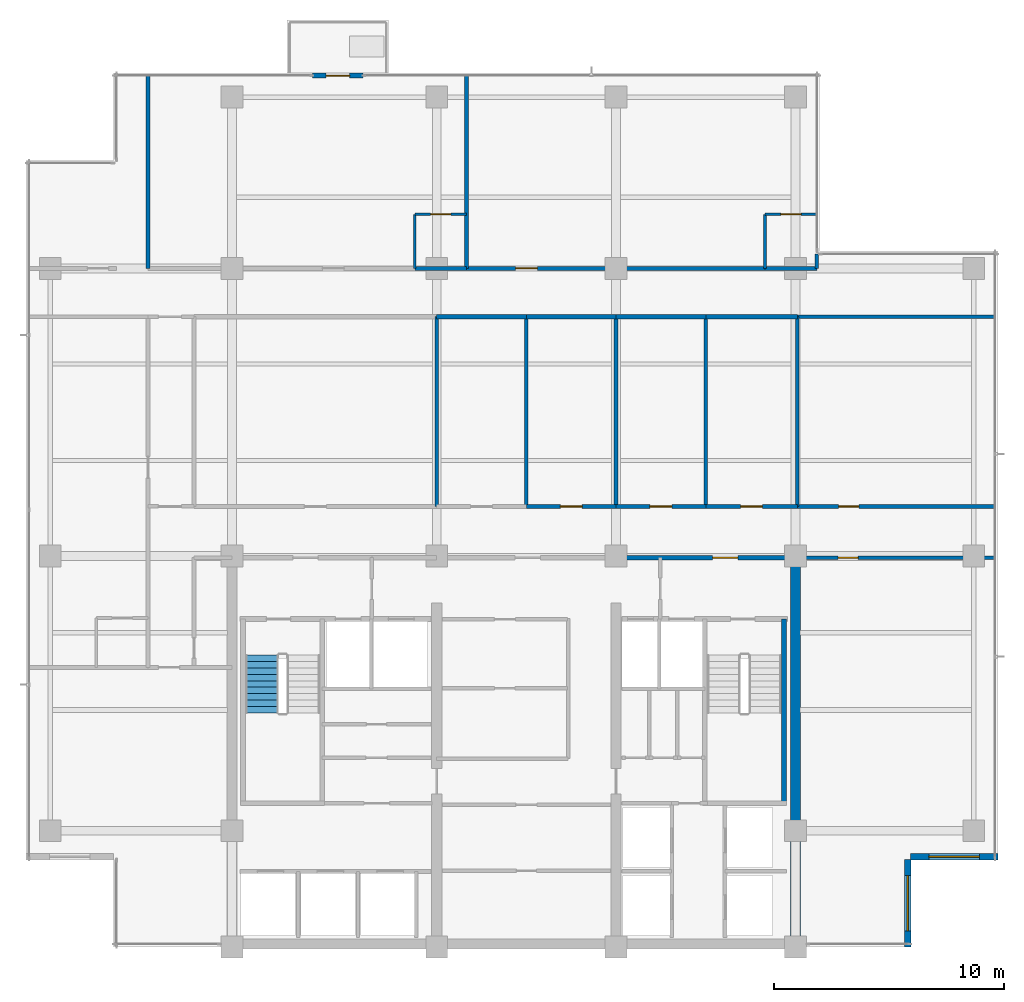
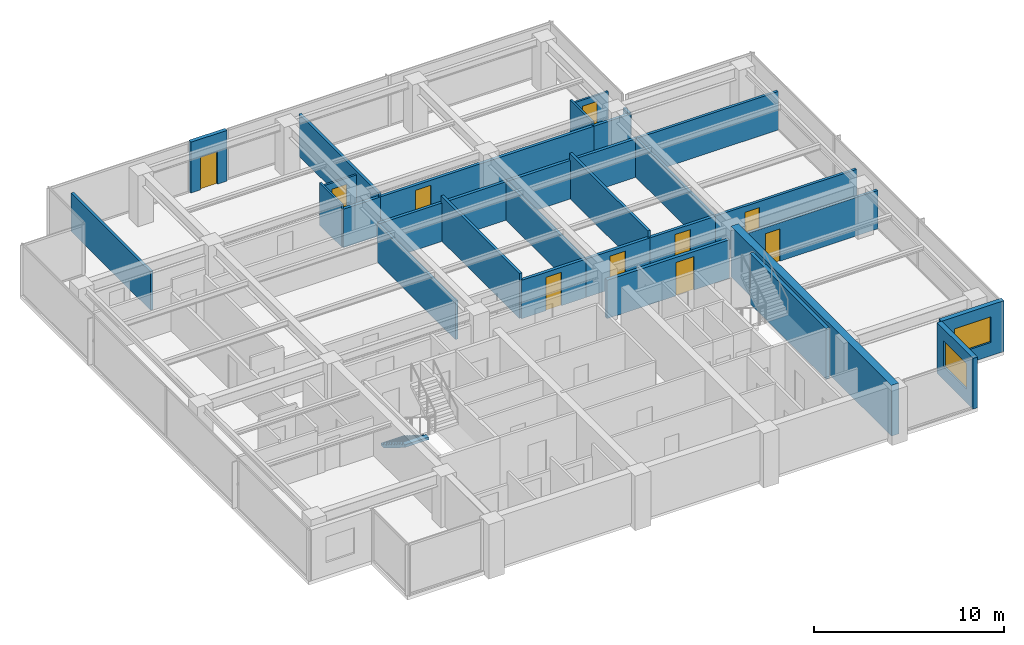
# One storey, part 9 of 14: 31 walls, 10 doors, 2 windows, 1 stair flight, 12 openings, 1 element without a shape of its own.
"""IFC4 building model written with IfcOpenShell, lengths in metres."""

from ifc_helpers import new_model, si_unit, direction, frame, frame_2d, origin, place, context, subcontext, project, spatial, polyline, rectangle, outline, extrude, material, layer, layer_set, type_object, element, fill, aggregate, save


model = new_model("IFC4")

# Units and contexts
model_context = context("Model", 3, precision=1e-05, world=origin(), true_north=direction((0.0, 1.0)))
body_context = subcontext(model_context, "Body", "Model", "MODEL_VIEW")
ifc_project = project(units=[si_unit("LENGTHUNIT", "METRE"), si_unit("AREAUNIT", "SQUARE_METRE"), si_unit("VOLUMEUNIT", "CUBIC_METRE"), si_unit("PLANEANGLEUNIT", "RADIAN"), si_unit("MASSUNIT", "GRAM", prefix="KILO")], contexts=[model_context])

# Site, building, storey
site_placement = place(None, origin())
site = spatial("IfcSite", under=ifc_project, at=site_placement, CompositionType="ELEMENT")
building_placement = place(site_placement, origin())
building = spatial("IfcBuilding", under=site, at=building_placement, Name="Qalmaran Belvedere Hotel", CompositionType="ELEMENT")
storey_placement = place(building_placement, frame((0.0, 0.0, 217.89990234375)))
storey = spatial("IfcBuildingStorey", under=building, at=storey_placement, Name="L55", CompositionType="ELEMENT", Elevation=217.89990234375)

# Wall, opening, door
ifc_material_1 = material(Name="Anodised Bronze Cladding")
ifc_layer_1 = layer(ifc_material_1, 0.22509765625, Name="Anodised Bronze Cladding")
ifc_layer_set_1 = layer_set([ifc_layer_1], Name="Anodised Bronze Cladding")
wall_type_1 = type_object("IfcWallType", Name="WL-BAL-PORT-225", PredefinedType="SOLIDWALL", material=ifc_layer_set_1)
wall_1_placement = place(storey_placement, frame((23.800048828125, 41.3798828125, 0.0), z_axis=(0.0, 0.0, 1.0), x_axis=(1.0, 0.0, 0.0)))
wall_1 = element("IfcWall", 1, at=wall_1_placement, inside=storey, type_object=wall_type_1, Name="L55 Tree Balcony Door Portal", PredefinedType="SOLIDWALL", context=body_context, shape_type="SweptSolid", body=[
    extrude(rectangle(XDim=2.199951171875, YDim=0.22509765625, at=frame_2d((1.10009765625, 0.0))), origin(), (0.0, 0.0, 1.0), 3.260009765625),
])
opening_1_placement = place(wall_1_placement, frame((0.590087890625, 0.0, 0.0)))
opening_1 = element("IfcOpeningElement", 2, at=opening_1_placement, cuts=wall_1, Name="Opening BL-102", PredefinedType="OPENING", context=body_context, shape_type="SweptSolid", body=[
    extrude(rectangle(XDim=1.02001953125, YDim=2.10009765625, at=frame_2d((0.510009765625, 1.050048828125))), frame((0.0, 0.12255859375, 0.0), z_axis=(0.0, -1.0, 0.0), x_axis=(1.0, 0.0, 0.0)), (0.0, 0.0, 1.0), 0.2451171875),
])
ifc_material_2 = material(Name="Anodised Bronze Aluminium", Category="aluminium")
door_type_1 = type_object("IfcDoorType", Name="DR-BAL-1020X2100", OperationType="NOTDEFINED", PredefinedType="DOOR", material=ifc_material_2)
door_1_placement = place(opening_1_placement, origin())
door_1 = element("IfcDoor", 3, at=door_1_placement, inside=storey, type_object=door_type_1, Name="L55 Planted Tree Balcony Door", OperationType="SINGLE_SWING_RIGHT", OverallHeight=2.10009765625, OverallWidth=1.02001953125, PredefinedType="DOOR", context=body_context, shape_type="SweptSolid", body=[
    extrude(rectangle(XDim=1.02001953125, YDim=2.10009765625, at=frame_2d((0.510009765625, 1.050048828125))), frame((0.0, 0.02490234375, 0.0), z_axis=(0.0, -1.0, 0.0), x_axis=(1.0, 0.0, 0.0)), (0.0, 0.0, 1.0), 0.050048828125),
])
fill(opening_1, door_1)

# Wall
ifc_material_3 = material(Name="Concrete C50/60", Category="concrete")
ifc_layer_2 = layer(ifc_material_3, 0.449951171875, Name="Concrete C50/60")
ifc_layer_set_2 = layer_set([ifc_layer_2], Name="Concrete C50/60")
wall_type_2 = type_object("IfcWallType", Name="WL-CORE-450-C50", PredefinedType="SHEAR", material=ifc_layer_set_2)
wall_2_placement = place(storey_placement, frame((44.800048828125, 3.5, 0.0), z_axis=(0.0, 0.0, 1.0), x_axis=(0.0, 1.0, 0.0)))
element("IfcWall", 4, at=wall_2_placement, inside=storey, type_object=wall_type_2, Name="L55 East Core Shear Wall", PredefinedType="SHEAR", context=body_context, shape_type="SweptSolid", body=[
    extrude(rectangle(XDim=16.89990234375, YDim=0.449951171875, at=frame_2d((8.449951171875, 0.0))), origin(), (0.0, 0.0, 1.0), 3.260009765625),
])

# Wall, opening, window
ifc_layer_3 = layer(ifc_material_1, 0.280029296875, Name="Anodised Bronze Cladding")
ifc_layer_set_3 = layer_set([ifc_layer_3], Name="Anodised Bronze Cladding")
wall_type_3 = type_object("IfcWallType", Name="WL-EXT-BRNZ-280", PredefinedType="SOLIDWALL", material=ifc_layer_set_3)
wall_3_placement = place(storey_placement, frame((49.679931640625, 3.5, 0.0), z_axis=(0.0, 0.0, 1.0), x_axis=(0.0, 1.0, 0.0)))
wall_3 = element("IfcWall", 5, at=wall_3_placement, inside=storey, type_object=wall_type_3, Name="L55 Corner Notch Wall 1", PredefinedType="SOLIDWALL", context=body_context, shape_type="SweptSolid", body=[
    extrude(rectangle(XDim=3.800048828125, YDim=0.280029296875, at=frame_2d((1.89990234375, 0.0))), origin(), (0.0, 0.0, 1.0), 3.260009765625),
])
opening_2_placement = place(wall_3_placement, frame((0.699951171875, 0.0, 0.85009765625)))
opening_2 = element("IfcOpeningElement", 6, at=opening_2_placement, cuts=wall_3, Name="Opening W-N24", PredefinedType="OPENING", context=body_context, shape_type="SweptSolid", body=[
    extrude(rectangle(XDim=2.39990234375, YDim=1.64990234375, at=frame_2d((1.199951171875, 0.824951171875))), frame((0.0, 0.14990234375, 0.0), z_axis=(0.0, -1.0, 0.0), x_axis=(1.0, 0.0, 0.0)), (0.0, 0.0, 1.0), 0.300048828125),
])
ifc_material_4 = material(Name="Solar-Control Double Glazing", Category="glass")
window_type_1 = type_object("IfcWindowType", Name="WN-NTC-2400X1650", PartitioningType="SINGLE_PANEL", PredefinedType="WINDOW", material=ifc_material_4)
window_1_placement = place(opening_2_placement, origin())
window_1 = element("IfcWindow", 7, at=window_1_placement, inside=storey, type_object=window_type_1, Name="L55 Corner Notch Window 1", OverallHeight=1.64990234375, OverallWidth=2.39990234375, PartitioningType="SINGLE_PANEL", PredefinedType="WINDOW", context=body_context, shape_type="SweptSolid", body=[
    extrude(rectangle(XDim=2.39990234375, YDim=1.64990234375, at=frame_2d((1.199951171875, 0.824951171875))), frame((0.0, 0.030029296875, 0.0), z_axis=(0.0, -1.0, 0.0), x_axis=(1.0, 0.0, 0.0)), (0.0, 0.0, 1.0), 0.06005859375),
])
fill(opening_2, window_1)

wall_4_placement = place(storey_placement, frame((49.800048828125, 7.419921875, 0.0), z_axis=(0.0, 0.0, 1.0), x_axis=(1.0, 0.0, 0.0)))
wall_4 = element("IfcWall", 8, at=wall_4_placement, inside=storey, type_object=wall_type_3, Name="L55 Corner Notch Wall 2", PredefinedType="SOLIDWALL", context=body_context, shape_type="SweptSolid", body=[
    extrude(rectangle(XDim=3.800048828125, YDim=0.280029296875, at=frame_2d((1.89990234375, 0.0))), origin(), (0.0, 0.0, 1.0), 3.260009765625),
])
opening_3_placement = place(wall_4_placement, frame((0.800048828125, 0.0, 0.85009765625)))
opening_3 = element("IfcOpeningElement", 9, at=opening_3_placement, cuts=wall_4, Name="Opening W-N22", PredefinedType="OPENING", context=body_context, shape_type="SweptSolid", body=[
    extrude(rectangle(XDim=2.199951171875, YDim=1.64990234375, at=frame_2d((1.10009765625, 0.824951171875))), frame((0.0, 0.14990234375, 0.0), z_axis=(0.0, -1.0, 0.0), x_axis=(1.0, 0.0, 0.0)), (0.0, 0.0, 1.0), 0.300048828125),
])
window_type_2 = type_object("IfcWindowType", Name="WN-NTC-2200X1650", PartitioningType="SINGLE_PANEL", PredefinedType="WINDOW", material=ifc_material_4)
window_2_placement = place(opening_3_placement, origin())
window_2 = element("IfcWindow", 10, at=window_2_placement, inside=storey, type_object=window_type_2, Name="L55 Corner Notch Window 2", OverallHeight=1.64990234375, OverallWidth=2.199951171875, PartitioningType="SINGLE_PANEL", PredefinedType="WINDOW", context=body_context, shape_type="SweptSolid", body=[
    extrude(rectangle(XDim=2.199951171875, YDim=1.64990234375, at=frame_2d((1.10009765625, 0.824951171875))), frame((0.0, 0.030029296875, 0.0), z_axis=(0.0, -1.0, 0.0), x_axis=(1.0, 0.0, 0.0)), (0.0, 0.0, 1.0), 0.06005859375),
])
fill(opening_3, window_2)

# Wall, opening, door
ifc_material_5 = material(Name="Moisture-Resistant Gypsum")
ifc_layer_4 = layer(ifc_material_5, 0.1201171875, Name="Moisture-Resistant Gypsum")
ifc_layer_set_4 = layer_set([ifc_layer_4], Name="Moisture-Resistant Gypsum")
wall_type_4 = type_object("IfcWallType", Name="WL-INT-120-BATH", PredefinedType="PARTITIONING", material=ifc_layer_set_4)
wall_5_placement = place(storey_placement, frame((28.25, 35.35009765625, 0.0), z_axis=(0.0, 0.0, 1.0), x_axis=(1.0, 0.0, 0.0)))
wall_5 = element("IfcWall", 11, at=wall_5_placement, inside=storey, type_object=wall_type_4, Name="L55 Partition WL-L55-NBN00", PredefinedType="PARTITIONING", context=body_context, shape_type="SweptSolid", body=[
    extrude(rectangle(XDim=2.25, YDim=0.1201171875, at=frame_2d((1.125, 0.0))), origin(), (0.0, 0.0, 1.0), 2.47216796875),
])
opening_4_placement = place(wall_5_placement, frame((1.56494140625, 0.0, 0.0), z_axis=(0.0, 0.0, 1.0), x_axis=(-1.0, 0.0, 0.0)))
opening_4 = element("IfcOpeningElement", 12, at=opening_4_placement, cuts=wall_5, Name="Opening D-BATH", PredefinedType="OPENING", context=body_context, shape_type="SweptSolid", body=[
    extrude(rectangle(XDim=0.8798828125, YDim=2.080078125, at=frame_2d((0.43994140625, 1.0400390625))), frame((0.0, 0.070068359375, 0.0), z_axis=(0.0, -1.0, 0.0), x_axis=(1.0, 0.0, 0.0)), (0.0, 0.0, 1.0), 0.14013671875),
])
ifc_material_6 = material(Name="Engineered Oak Veneer")
door_type_2 = type_object("IfcDoorType", Name="DR-INT-BATH-880X2080", OperationType="NOTDEFINED", PredefinedType="DOOR", material=ifc_material_6)
door_2_placement = place(opening_4_placement, origin())
door_2 = element("IfcDoor", 13, at=door_2_placement, inside=storey, type_object=door_type_2, Name="L55 Ensuite Bathroom Door N01", OperationType="SINGLE_SWING_LEFT", OverallHeight=2.080078125, OverallWidth=0.8798828125, PredefinedType="DOOR", context=body_context, shape_type="SweptSolid", body=[
    extrude(rectangle(XDim=0.8798828125, YDim=2.080078125, at=frame_2d((0.43994140625, 1.0400390625))), frame((0.0, 0.02490234375, 0.0), z_axis=(0.0, -1.0, 0.0), x_axis=(1.0, 0.0, 0.0)), (0.0, 0.0, 1.0), 0.050048828125),
])
fill(opening_4, door_2)

# Wall
wall_6_placement = place(storey_placement, frame((28.25, 33.0, 0.0), z_axis=(0.0, 0.0, 1.0), x_axis=(0.0, 1.0, 0.0)))
element("IfcWall", 14, at=wall_6_placement, inside=storey, type_object=wall_type_4, Name="L55 Partition WL-L55-NBS00", PredefinedType="PARTITIONING", context=body_context, shape_type="SweptSolid", body=[
    extrude(rectangle(XDim=2.35009765625, YDim=0.1201171875, at=frame_2d((1.175048828125, 0.0))), origin(), (0.0, 0.0, 1.0), 2.7060546875),
])

# Wall, opening, door
wall_7_placement = place(storey_placement, frame((43.47998046875, 35.35009765625, 0.0), z_axis=(0.0, 0.0, 1.0), x_axis=(1.0, 0.0, 0.0)))
wall_7 = element("IfcWall", 15, at=wall_7_placement, inside=storey, type_object=wall_type_4, Name="L55 Partition WL-L55-NBN01", PredefinedType="PARTITIONING", context=body_context, shape_type="SweptSolid", body=[
    extrude(rectangle(XDim=2.25, YDim=0.1201171875, at=frame_2d((1.125, 0.0))), origin(), (0.0, 0.0, 1.0), 2.47216796875),
])
opening_5_placement = place(wall_7_placement, frame((1.56494140625, 0.0, 0.0), z_axis=(0.0, 0.0, 1.0), x_axis=(-1.0, 0.0, 0.0)))
opening_5 = element("IfcOpeningElement", 16, at=opening_5_placement, cuts=wall_7, Name="Opening D-BATH", PredefinedType="OPENING", context=body_context, shape_type="SweptSolid", body=[
    extrude(rectangle(XDim=0.8798828125, YDim=2.080078125, at=frame_2d((0.43994140625, 1.0400390625))), frame((0.0, 0.070068359375, 0.0), z_axis=(0.0, -1.0, 0.0), x_axis=(1.0, 0.0, 0.0)), (0.0, 0.0, 1.0), 0.14013671875),
])
door_3_placement = place(opening_5_placement, origin())
door_3 = element("IfcDoor", 17, at=door_3_placement, inside=storey, type_object=door_type_2, Name="L55 Ensuite Bathroom Door N02", OperationType="SINGLE_SWING_LEFT", OverallHeight=2.080078125, OverallWidth=0.8798828125, PredefinedType="DOOR", context=body_context, shape_type="SweptSolid", body=[
    extrude(rectangle(XDim=0.8798828125, YDim=2.080078125, at=frame_2d((0.43994140625, 1.0400390625))), frame((0.0, 0.02490234375, 0.0), z_axis=(0.0, -1.0, 0.0), x_axis=(1.0, 0.0, 0.0)), (0.0, 0.0, 1.0), 0.050048828125),
])
fill(opening_5, door_3)

# Wall
wall_8_placement = place(storey_placement, frame((43.47998046875, 33.0, 0.0), z_axis=(0.0, 0.0, 1.0), x_axis=(0.0, 1.0, 0.0)))
element("IfcWall", 18, at=wall_8_placement, inside=storey, type_object=wall_type_4, Name="L55 Partition WL-L55-NBS01", PredefinedType="PARTITIONING", context=body_context, shape_type="SweptSolid", body=[
    extrude(rectangle(XDim=2.35009765625, YDim=0.1201171875, at=frame_2d((1.175048828125, 0.0))), origin(), (0.0, 0.0, 1.0), 2.7060546875),
])

# Wall, opening, door
ifc_material_7 = material(Name="Gypsum Stud Partition")
ifc_layer_5 = layer(ifc_material_7, 0.159912109375, Name="Gypsum Stud Partition")
ifc_layer_set_5 = layer_set([ifc_layer_5], Name="Gypsum Stud Partition")
wall_type_5 = type_object("IfcWallType", Name="WL-INT-160-EI60", PredefinedType="PARTITIONING", material=ifc_layer_set_5)
wall_9_placement = place(storey_placement, frame((44.800048828125, 20.419921875, 0.0), z_axis=(0.0, 0.0, 1.0), x_axis=(1.0, 0.0, 0.0)))
wall_9 = element("IfcWall", 19, at=wall_9_placement, inside=storey, type_object=wall_type_5, Name="L55 Partition WL-L55-ECE1S", PredefinedType="PARTITIONING", context=body_context, shape_type="SweptSolid", body=[
    extrude(rectangle(XDim=8.679931640625, YDim=0.159912109375, at=frame_2d((4.33984375, 0.0))), origin(), (0.0, 0.0, 1.0), 2.47216796875),
])
opening_6_placement = place(wall_9_placement, frame((2.72998046875, 0.0, 0.0), z_axis=(0.0, 0.0, 1.0), x_axis=(-1.0, 0.0, 0.0)))
opening_6 = element("IfcOpeningElement", 20, at=opening_6_placement, cuts=wall_9, Name="Opening FD60B", PredefinedType="OPENING", context=body_context, shape_type="SweptSolid", body=[
    extrude(rectangle(XDim=0.8798828125, YDim=2.080078125, at=frame_2d((0.43994140625, 1.0400390625))), frame((0.0, 0.08984375, 0.0), z_axis=(0.0, -1.0, 0.0), x_axis=(1.0, 0.0, 0.0)), (0.0, 0.0, 1.0), 0.179931640625),
])
ifc_material_8 = material(Name="Steel S355JR", Category="steel")
door_type_3 = type_object("IfcDoorType", Name="DR-FD60B-880X2080", OperationType="NOTDEFINED", PredefinedType="DOOR", material=ifc_material_8)
door_4_placement = place(opening_6_placement, origin())
door_4 = element("IfcDoor", 21, at=door_4_placement, inside=storey, type_object=door_type_3, Name="L55 East Library Door", OperationType="SINGLE_SWING_RIGHT", OverallHeight=2.080078125, OverallWidth=0.8798828125, PredefinedType="DOOR", context=body_context, shape_type="SweptSolid", body=[
    extrude(rectangle(XDim=0.8798828125, YDim=2.080078125, at=frame_2d((0.43994140625, 1.0400390625))), frame((0.0, 0.02490234375, 0.0), z_axis=(0.0, -1.0, 0.0), x_axis=(1.0, 0.0, 0.0)), (0.0, 0.0, 1.0), 0.050048828125),
])
fill(opening_6, door_4)

wall_10_placement = place(storey_placement, frame((44.8798828125, 22.64990234375, 0.0), z_axis=(0.0, 0.0, 1.0), x_axis=(1.0, 0.0, 0.0)))
wall_10 = element("IfcWall", 22, at=wall_10_placement, inside=storey, type_object=wall_type_5, Name="L55 Partition WL-L55-ECE2N", PredefinedType="PARTITIONING", context=body_context, shape_type="SweptSolid", body=[
    extrude(rectangle(XDim=8.60009765625, YDim=0.159912109375, at=frame_2d((4.300048828125, 0.0))), origin(), (0.0, 0.0, 1.0), 2.47216796875),
])
opening_7_placement = place(wall_10_placement, frame((1.800048828125, 0.0, 0.0)))
opening_7 = element("IfcOpeningElement", 23, at=opening_7_placement, cuts=wall_10, Name="Opening FD60B", PredefinedType="OPENING", context=body_context, shape_type="SweptSolid", body=[
    extrude(rectangle(XDim=0.8798828125, YDim=2.080078125, at=frame_2d((0.43994140625, 1.0400390625))), frame((0.0, 0.08984375, 0.0), z_axis=(0.0, -1.0, 0.0), x_axis=(1.0, 0.0, 0.0)), (0.0, 0.0, 1.0), 0.179931640625),
])
door_5_placement = place(opening_7_placement, origin())
door_5 = element("IfcDoor", 24, at=door_5_placement, inside=storey, type_object=door_type_3, Name="L55 East Fitness Door", OperationType="SINGLE_SWING_LEFT", OverallHeight=2.080078125, OverallWidth=0.8798828125, PredefinedType="DOOR", context=body_context, shape_type="SweptSolid", body=[
    extrude(rectangle(XDim=0.8798828125, YDim=2.080078125, at=frame_2d((0.43994140625, 1.0400390625))), frame((0.0, 0.02490234375, 0.0), z_axis=(0.0, -1.0, 0.0), x_axis=(1.0, 0.0, 0.0)), (0.0, 0.0, 1.0), 0.050048828125),
])
fill(opening_7, door_5)

# Walls
wall_11_placement = place(storey_placement, frame((44.8798828125, 30.89990234375, 0.0), z_axis=(0.0, 0.0, 1.0), x_axis=(1.0, 0.0, 0.0)))
element("IfcWall", 25, at=wall_11_placement, inside=storey, type_object=wall_type_5, Name="L55 Partition WL-L55-ECEN", PredefinedType="PARTITIONING", context=body_context, shape_type="SweptSolid", body=[
    extrude(rectangle(XDim=8.60009765625, YDim=0.159912109375, at=frame_2d((4.300048828125, 0.0))), origin(), (0.0, 0.0, 1.0), 2.47216796875),
])
wall_12_placement = place(storey_placement, frame((29.199951171875, 22.64990234375, 0.0), z_axis=(0.0, 0.0, 1.0), x_axis=(0.0, 1.0, 0.0)))
element("IfcWall", 26, at=wall_12_placement, inside=storey, type_object=wall_type_5, Name="L55 Partition WL-L55-MIDVR1", PredefinedType="PARTITIONING", context=body_context, shape_type="SweptSolid", body=[
    extrude(rectangle(XDim=8.25, YDim=0.159912109375, at=frame_2d((4.125, 0.0))), origin(), (0.0, 0.0, 1.0), 2.47216796875),
])
wall_13_placement = place(storey_placement, frame((33.10009765625, 22.64990234375, 0.0), z_axis=(0.0, 0.0, 1.0), x_axis=(0.0, 1.0, 0.0)))
element("IfcWall", 27, at=wall_13_placement, inside=storey, type_object=wall_type_5, Name="L55 Partition WL-L55-MIDVR2", PredefinedType="PARTITIONING", context=body_context, shape_type="SweptSolid", body=[
    extrude(rectangle(XDim=8.25, YDim=0.159912109375, at=frame_2d((4.125, 0.0))), origin(), (0.0, 0.0, 1.0), 2.88720703125),
])
wall_14_placement = place(storey_placement, frame((37.0, 22.64990234375, 0.0), z_axis=(0.0, 0.0, 1.0), x_axis=(0.0, 1.0, 0.0)))
element("IfcWall", 28, at=wall_14_placement, inside=storey, type_object=wall_type_5, Name="L55 Partition WL-L55-MIDVR3", PredefinedType="PARTITIONING", context=body_context, shape_type="SweptSolid", body=[
    extrude(rectangle(XDim=8.25, YDim=0.159912109375, at=frame_2d((4.125, 0.0))), origin(), (0.0, 0.0, 1.0), 2.47216796875),
])
wall_15_placement = place(storey_placement, frame((40.89990234375, 22.64990234375, 0.0), z_axis=(0.0, 0.0, 1.0), x_axis=(0.0, 1.0, 0.0)))
element("IfcWall", 29, at=wall_15_placement, inside=storey, type_object=wall_type_5, Name="L55 Partition WL-L55-MIDVR4", PredefinedType="PARTITIONING", context=body_context, shape_type="SweptSolid", body=[
    extrude(rectangle(XDim=8.25, YDim=0.159912109375, at=frame_2d((4.125, 0.0))), origin(), (0.0, 0.0, 1.0), 2.88720703125),
])
wall_16_placement = place(storey_placement, frame((44.8798828125, 22.64990234375, 0.0), z_axis=(0.0, 0.0, 1.0), x_axis=(0.0, 1.0, 0.0)))
element("IfcWall", 30, at=wall_16_placement, inside=storey, type_object=wall_type_5, Name="L55 Partition WL-L55-MIDVR5", PredefinedType="PARTITIONING", context=body_context, shape_type="SweptSolid", body=[
    extrude(rectangle(XDim=8.25, YDim=0.159912109375, at=frame_2d((4.125, 0.0))), origin(), (0.0, 0.0, 1.0), 2.47216796875),
])
wall_17_placement = place(storey_placement, frame((16.64990234375, 33.0, 0.0), z_axis=(0.0, 0.0, 1.0), x_axis=(0.0, 1.0, 0.0)))
element("IfcWall", 31, at=wall_17_placement, inside=storey, type_object=wall_type_5, Name="L55 Partition WL-L55-NUL", PredefinedType="PARTITIONING", context=body_context, shape_type="SweptSolid", body=[
    extrude(rectangle(XDim=8.3798828125, YDim=0.159912109375, at=frame_2d((4.18994140625, 0.0))), origin(), (0.0, 0.0, 1.0), 2.47216796875),
])
wall_18_placement = place(storey_placement, frame((30.5, 33.0, 0.0), z_axis=(0.0, 0.0, 1.0), x_axis=(0.0, 1.0, 0.0)))
element("IfcWall", 32, at=wall_18_placement, inside=storey, type_object=wall_type_5, Name="L55 Partition WL-L55-NUR00", PredefinedType="PARTITIONING", context=body_context, shape_type="SweptSolid", body=[
    extrude(rectangle(XDim=8.3798828125, YDim=0.159912109375, at=frame_2d((4.18994140625, 0.0))), origin(), (0.0, 0.0, 1.0), 2.7060546875),
])
wall_19_placement = place(storey_placement, frame((45.72998046875, 33.0, 0.0), z_axis=(0.0, 0.0, 1.0), x_axis=(0.0, 1.0, 0.0)))
element("IfcWall", 33, at=wall_19_placement, inside=storey, type_object=wall_type_5, Name="L55 Partition WL-L55-NUR01", PredefinedType="PARTITIONING", context=body_context, shape_type="SweptSolid", body=[
    extrude(rectangle(XDim=0.6298828125, YDim=0.159912109375, at=frame_2d((0.31494140625, 0.0))), origin(), (0.0, 0.0, 1.0), 2.47216796875),
])
ifc_layer_6 = layer(ifc_material_7, 0.179931640625, Name="Gypsum Stud Partition")
ifc_layer_set_6 = layer_set([ifc_layer_6], Name="Gypsum Stud Partition")
wall_type_6 = type_object("IfcWallType", Name="WL-INT-180-EI60", PredefinedType="PARTITIONING", material=ifc_layer_set_6)
wall_20_placement = place(storey_placement, frame((29.199951171875, 30.89990234375, 0.0), z_axis=(0.0, 0.0, 1.0), x_axis=(1.0, 0.0, 0.0)))
element("IfcWall", 34, at=wall_20_placement, inside=storey, type_object=wall_type_6, Name="L55 Partition WL-L55-MIDO2", PredefinedType="PARTITIONING", context=body_context, shape_type="SweptSolid", body=[
    extrude(rectangle(XDim=3.900146484375, YDim=0.179931640625, at=frame_2d((1.9501953125, 0.0))), origin(), (0.0, 0.0, 1.0), 2.47216796875),
])

# Wall, opening, door
wall_21_placement = place(storey_placement, frame((33.10009765625, 22.64990234375, 0.0), z_axis=(0.0, 0.0, 1.0), x_axis=(1.0, 0.0, 0.0)))
wall_21 = element("IfcWall", 35, at=wall_21_placement, inside=storey, type_object=wall_type_6, Name="L55 Partition WL-L55-MIDD3", PredefinedType="PARTITIONING", context=body_context, shape_type="SweptSolid", body=[
    extrude(rectangle(XDim=3.89990234375, YDim=0.179931640625, at=frame_2d((1.949951171875, 0.0))), origin(), (0.0, 0.0, 1.0), 2.47216796875),
])
opening_8_placement = place(wall_21_placement, frame((1.47509765625, 0.0, 0.0)))
opening_8 = element("IfcOpeningElement", 36, at=opening_8_placement, cuts=wall_21, Name="Opening FD60", PredefinedType="OPENING", context=body_context, shape_type="SweptSolid", body=[
    extrude(rectangle(XDim=0.949951171875, YDim=2.14990234375, at=frame_2d((0.47509765625, 1.074951171875))), frame((0.0, 0.10009765625, 0.0), z_axis=(0.0, -1.0, 0.0), x_axis=(1.0, 0.0, 0.0)), (0.0, 0.0, 1.0), 0.199951171875),
])
door_type_4 = type_object("IfcDoorType", Name="DR-FD60-950X2150", OperationType="NOTDEFINED", PredefinedType="DOOR", material=ifc_material_6)
door_6_placement = place(opening_8_placement, origin())
door_6 = element("IfcDoor", 37, at=door_6_placement, inside=storey, type_object=door_type_4, Name="L55 Sitting Lounge Door", OperationType="SINGLE_SWING_RIGHT", OverallHeight=2.14990234375, OverallWidth=0.949951171875, PredefinedType="DOOR", context=body_context, shape_type="SweptSolid", body=[
    extrude(rectangle(XDim=0.949951171875, YDim=2.14990234375, at=frame_2d((0.47509765625, 1.074951171875))), frame((0.0, 0.02490234375, 0.0), z_axis=(0.0, -1.0, 0.0), x_axis=(1.0, 0.0, 0.0)), (0.0, 0.0, 1.0), 0.050048828125),
])
fill(opening_8, door_6)

# Wall
wall_22_placement = place(storey_placement, frame((33.10009765625, 30.89990234375, 0.0), z_axis=(0.0, 0.0, 1.0), x_axis=(1.0, 0.0, 0.0)))
element("IfcWall", 38, at=wall_22_placement, inside=storey, type_object=wall_type_6, Name="L55 Partition WL-L55-MIDO3", PredefinedType="PARTITIONING", context=body_context, shape_type="SweptSolid", body=[
    extrude(rectangle(XDim=3.89990234375, YDim=0.179931640625, at=frame_2d((1.949951171875, 0.0))), origin(), (0.0, 0.0, 1.0), 2.47216796875),
])

# Wall, opening, door
wall_23_placement = place(storey_placement, frame((37.0, 22.64990234375, 0.0), z_axis=(0.0, 0.0, 1.0), x_axis=(1.0, 0.0, 0.0)))
wall_23 = element("IfcWall", 39, at=wall_23_placement, inside=storey, type_object=wall_type_6, Name="L55 Partition WL-L55-MIDD4", PredefinedType="PARTITIONING", context=body_context, shape_type="SweptSolid", body=[
    extrude(rectangle(XDim=3.89990234375, YDim=0.179931640625, at=frame_2d((1.949951171875, 0.0))), origin(), (0.0, 0.0, 1.0), 2.47216796875),
])
opening_9_placement = place(wall_23_placement, frame((1.47509765625, 0.0, 0.0)))
opening_9 = element("IfcOpeningElement", 40, at=opening_9_placement, cuts=wall_23, Name="Opening FD60", PredefinedType="OPENING", context=body_context, shape_type="SweptSolid", body=[
    extrude(rectangle(XDim=0.949951171875, YDim=2.14990234375, at=frame_2d((0.47509765625, 1.074951171875))), frame((0.0, 0.10009765625, 0.0), z_axis=(0.0, -1.0, 0.0), x_axis=(1.0, 0.0, 0.0)), (0.0, 0.0, 1.0), 0.199951171875),
])
door_7_placement = place(opening_9_placement, origin())
door_7 = element("IfcDoor", 41, at=door_7_placement, inside=storey, type_object=door_type_4, Name="L55 Family Lounge Door", OperationType="SINGLE_SWING_LEFT", OverallHeight=2.14990234375, OverallWidth=0.949951171875, PredefinedType="DOOR", context=body_context, shape_type="SweptSolid", body=[
    extrude(rectangle(XDim=0.949951171875, YDim=2.14990234375, at=frame_2d((0.47509765625, 1.074951171875))), frame((0.0, 0.02490234375, 0.0), z_axis=(0.0, -1.0, 0.0), x_axis=(1.0, 0.0, 0.0)), (0.0, 0.0, 1.0), 0.050048828125),
])
fill(opening_9, door_7)

# Wall
wall_24_placement = place(storey_placement, frame((37.0, 30.89990234375, 0.0), z_axis=(0.0, 0.0, 1.0), x_axis=(1.0, 0.0, 0.0)))
element("IfcWall", 42, at=wall_24_placement, inside=storey, type_object=wall_type_6, Name="L55 Partition WL-L55-MIDO4", PredefinedType="PARTITIONING", context=body_context, shape_type="SweptSolid", body=[
    extrude(rectangle(XDim=3.89990234375, YDim=0.179931640625, at=frame_2d((1.949951171875, 0.0))), origin(), (0.0, 0.0, 1.0), 2.47216796875),
])

# Wall, opening, door
wall_25_placement = place(storey_placement, frame((40.89990234375, 22.64990234375, 0.0), z_axis=(0.0, 0.0, 1.0), x_axis=(1.0, 0.0, 0.0)))
wall_25 = element("IfcWall", 43, at=wall_25_placement, inside=storey, type_object=wall_type_6, Name="L55 Partition WL-L55-MIDD5", PredefinedType="PARTITIONING", context=body_context, shape_type="SweptSolid", body=[
    extrude(rectangle(XDim=3.97998046875, YDim=0.179931640625, at=frame_2d((1.989990234375, 0.0))), origin(), (0.0, 0.0, 1.0), 2.47216796875),
])
opening_10_placement = place(wall_25_placement, frame((1.514892578125, 0.0, 0.0)))
opening_10 = element("IfcOpeningElement", 44, at=opening_10_placement, cuts=wall_25, Name="Opening FD60", PredefinedType="OPENING", context=body_context, shape_type="SweptSolid", body=[
    extrude(rectangle(XDim=0.949951171875, YDim=2.14990234375, at=frame_2d((0.47509765625, 1.074951171875))), frame((0.0, 0.10009765625, 0.0), z_axis=(0.0, -1.0, 0.0), x_axis=(1.0, 0.0, 0.0)), (0.0, 0.0, 1.0), 0.199951171875),
])
door_8_placement = place(opening_10_placement, origin())
door_8 = element("IfcDoor", 45, at=door_8_placement, inside=storey, type_object=door_type_4, Name="L55 Library Door", OperationType="SINGLE_SWING_RIGHT", OverallHeight=2.14990234375, OverallWidth=0.949951171875, PredefinedType="DOOR", context=body_context, shape_type="SweptSolid", body=[
    extrude(rectangle(XDim=0.949951171875, YDim=2.14990234375, at=frame_2d((0.47509765625, 1.074951171875))), frame((0.0, 0.02490234375, 0.0), z_axis=(0.0, -1.0, 0.0), x_axis=(1.0, 0.0, 0.0)), (0.0, 0.0, 1.0), 0.050048828125),
])
fill(opening_10, door_8)

# Walls
wall_26_placement = place(storey_placement, frame((40.89990234375, 30.89990234375, 0.0), z_axis=(0.0, 0.0, 1.0), x_axis=(1.0, 0.0, 0.0)))
element("IfcWall", 46, at=wall_26_placement, inside=storey, type_object=wall_type_6, Name="L55 Partition WL-L55-MIDO5", PredefinedType="PARTITIONING", context=body_context, shape_type="SweptSolid", body=[
    extrude(rectangle(XDim=3.97998046875, YDim=0.179931640625, at=frame_2d((1.989990234375, 0.0))), origin(), (0.0, 0.0, 1.0), 2.47216796875),
])
for number, where, z_axis, x_axis, name in (
    (47, (28.25, 33.0, 0.0), (0.0, 0.0, 1.0), (1.0, 0.0, 0.0), "L55 Partition WL-L55-NBC00"),
    (48, (43.47998046875, 33.0, 0.0), (0.0, 0.0, 1.0), (1.0, 0.0, 0.0), "L55 Partition WL-L55-NBC01"),
):
    element("IfcWall", number, at=place(storey_placement, frame(where, z_axis=z_axis, x_axis=x_axis)), inside=storey, type_object=wall_type_6, Name=name, PredefinedType="PARTITIONING", context=body_context, shape_type="SweptSolid", body=[
        extrude(rectangle(XDim=2.25, YDim=0.179931640625, at=frame_2d((1.125, 0.0))), origin(), (0.0, 0.0, 1.0), 2.47216796875),
    ])

# Wall, opening, door
wall_27_placement = place(storey_placement, frame((30.5, 33.0, 0.0), z_axis=(0.0, 0.0, 1.0), x_axis=(1.0, 0.0, 0.0)))
wall_27 = element("IfcWall", 49, at=wall_27_placement, inside=storey, type_object=wall_type_6, Name="L55 Partition WL-L55-NEC01", PredefinedType="PARTITIONING", context=body_context, shape_type="SweptSolid", body=[
    extrude(rectangle(XDim=12.97998046875, YDim=0.179931640625, at=frame_2d((6.489990234375, 0.0))), origin(), (0.0, 0.0, 1.0), 2.47216796875),
])
opening_11_placement = place(wall_27_placement, frame((2.1318359375, 0.0, 0.0)))
opening_11 = element("IfcOpeningElement", 50, at=opening_11_placement, cuts=wall_27, Name="Opening FD60", PredefinedType="OPENING", context=body_context, shape_type="SweptSolid", body=[
    extrude(rectangle(XDim=0.949951171875, YDim=2.14990234375, at=frame_2d((0.47509765625, 1.074951171875))), frame((0.0, 0.10009765625, 0.0), z_axis=(0.0, -1.0, 0.0), x_axis=(1.0, 0.0, 0.0)), (0.0, 0.0, 1.0), 0.199951171875),
])
door_9_placement = place(opening_11_placement, origin())
door_9 = element("IfcDoor", 51, at=door_9_placement, inside=storey, type_object=door_type_4, Name="L55 Guest Entrance Door N02", OperationType="SINGLE_SWING_RIGHT", OverallHeight=2.14990234375, OverallWidth=0.949951171875, PredefinedType="DOOR", context=body_context, shape_type="SweptSolid", body=[
    extrude(rectangle(XDim=0.949951171875, YDim=2.14990234375, at=frame_2d((0.47509765625, 1.074951171875))), frame((0.0, 0.02490234375, 0.0), z_axis=(0.0, -1.0, 0.0), x_axis=(1.0, 0.0, 0.0)), (0.0, 0.0, 1.0), 0.050048828125),
])
fill(opening_11, door_9)

ifc_material_9 = material(Name="Concrete C30/37 Blockwork", Category="masonry")
ifc_layer_7 = layer(ifc_material_9, 0.199951171875, Name="Concrete C30/37 Blockwork")
ifc_layer_set_7 = layer_set([ifc_layer_7], Name="Concrete C30/37 Blockwork")
wall_type_7 = type_object("IfcWallType", Name="WL-INT-200-EI120", PredefinedType="PARTITIONING", material=ifc_layer_set_7)
wall_28_placement = place(storey_placement, frame((37.0, 20.419921875, 0.0), z_axis=(0.0, 0.0, 1.0), x_axis=(1.0, 0.0, 0.0)))
wall_28 = element("IfcWall", 52, at=wall_28_placement, inside=storey, type_object=wall_type_7, Name="L55 Partition WL-CN3-L55", PredefinedType="PARTITIONING", context=body_context, shape_type="SweptSolid", body=[
    extrude(rectangle(XDim=7.449951171875, YDim=0.199951171875, at=frame_2d((3.72509765625, 0.0))), origin(), (0.0, 0.0, 1.0), 2.47216796875),
])
opening_12_placement = place(wall_28_placement, frame((4.199951171875, 0.0, 0.0)))
opening_12 = element("IfcOpeningElement", 53, at=opening_12_placement, cuts=wall_28, Name="Opening FD90", PredefinedType="OPENING", context=body_context, shape_type="SweptSolid", body=[
    extrude(rectangle(XDim=1.10009765625, YDim=2.14990234375, at=frame_2d((0.550048828125, 1.074951171875))), frame((0.0, 0.10986328125, 0.0), z_axis=(0.0, -1.0, 0.0), x_axis=(1.0, 0.0, 0.0)), (0.0, 0.0, 1.0), 0.219970703125),
])
door_type_5 = type_object("IfcDoorType", Name="DR-FD90-1100X2150", OperationType="NOTDEFINED", PredefinedType="DOOR", material=ifc_material_8)
door_10_placement = place(opening_12_placement, origin())
door_10 = element("IfcDoor", 54, at=door_10_placement, inside=storey, type_object=door_type_5, Name="L55 FF2 Lobby Corridor Door", OperationType="SINGLE_SWING_RIGHT", OverallHeight=2.14990234375, OverallWidth=1.10009765625, PredefinedType="DOOR", context=body_context, shape_type="SweptSolid", body=[
    extrude(rectangle(XDim=1.10009765625, YDim=2.14990234375, at=frame_2d((0.550048828125, 1.074951171875))), frame((0.0, 0.02490234375, 0.0), z_axis=(0.0, -1.0, 0.0), x_axis=(1.0, 0.0, 0.0)), (0.0, 0.0, 1.0), 0.050048828125),
])
fill(opening_12, door_10)

# Wall
ifc_layer_8 = layer(ifc_material_3, 0.2099609375, Name="Concrete C50/60")
ifc_layer_set_8 = layer_set([ifc_layer_8], Name="Concrete C50/60")
wall_type_8 = type_object("IfcWallType", Name="WL-STAIR-210-C50", PredefinedType="SHEAR", material=ifc_layer_set_8)
wall_29_placement = place(storey_placement, frame((44.304931640625, 9.7451171875, 0.0), z_axis=(0.0, 0.0, 1.0), x_axis=(0.0, 1.0, 0.0)))
element("IfcWall", 55, at=wall_29_placement, inside=storey, type_object=wall_type_8, Name="L55 Stair ST-2 East Bearing Wall", PredefinedType="SHEAR", context=body_context, shape_type="SweptSolid", body=[
    extrude(rectangle(XDim=8.009765625, YDim=0.2099609375, at=frame_2d((4.0048828125, 0.0))), origin(), (0.0, 0.0, 1.0), 3.260009765625),
])

# Stair, stair flight
ifc_material_10 = material(Name="Concrete C40/50", Category="concrete")
stair_type = type_object("IfcStairType", Name="STR-ST-1-1450-R1750", PredefinedType="HALF_TURN_STAIR", material=ifc_material_10)
stair_placement = place(storey_placement, origin())
stair = element("IfcStair", 56, at=stair_placement, inside=storey, type_object=stair_type, Name="L55 West Core Exit Stair ST-1", PredefinedType="HALF_TURN_STAIR")
ifc_layer_9 = layer(ifc_material_10, 0.14990234375, Name="Concrete C40/50")
ifc_layer_set_9 = layer_set([ifc_layer_9], Name="Concrete C40/50")
stair_flight_type = type_object("IfcStairFlightType", Name="STF-ST-1-1450-R1750", PredefinedType="STRAIGHT", material=ifc_layer_set_9)
stair_flight_placement = place(storey_placement, frame((21.60498046875, 16.18994140625, 0.0), z_axis=(0.0, 0.0, 1.0), x_axis=(0.0, -1.0, 0.0)))
stair_flight = element("IfcStairFlight", 57, at=stair_flight_placement, type_object=stair_flight_type, Name="ST-1 flight 1", NumberOfRisers=10, NumberOfTreads=9, PredefinedType="STRAIGHT", RiserHeight=0.175, TreadLength=0.28, context=body_context, shape_type="SweptSolid", body=[
    extrude(outline(polyline([(0.0, 0.0), (0.0, 0.175048828125), (0.280029296875, 0.175048828125), (0.280029296875, 0.35009765625), (0.56005859375, 0.35009765625), (0.56005859375, 0.52490234375), (0.840087890625, 0.52490234375), (0.840087890625, 0.699951171875), (1.1201171875, 0.699951171875), (1.1201171875, 0.875), (1.39990234375, 0.875), (1.39990234375, 1.050048828125), (1.679931640625, 1.050048828125), (1.679931640625, 1.22509765625), (1.9599609375, 1.22509765625), (1.9599609375, 1.39990234375), (2.239990234375, 1.39990234375), (2.239990234375, 1.574951171875), (2.52001953125, 1.574951171875), (2.52001953125, 1.75), (2.52001953125, 1.398193359375), (0.28271484375, 0.0), (0.0, 0.0)])), frame((0.0, 0.72509765625, 0.0), z_axis=(0.0, -1.0, 0.0), x_axis=(1.0, 0.0, 0.0)), (0.0, 0.0, 1.0), 1.449951171875),
])
aggregate(stair, [stair_flight])

save(model, "model.ifc")
